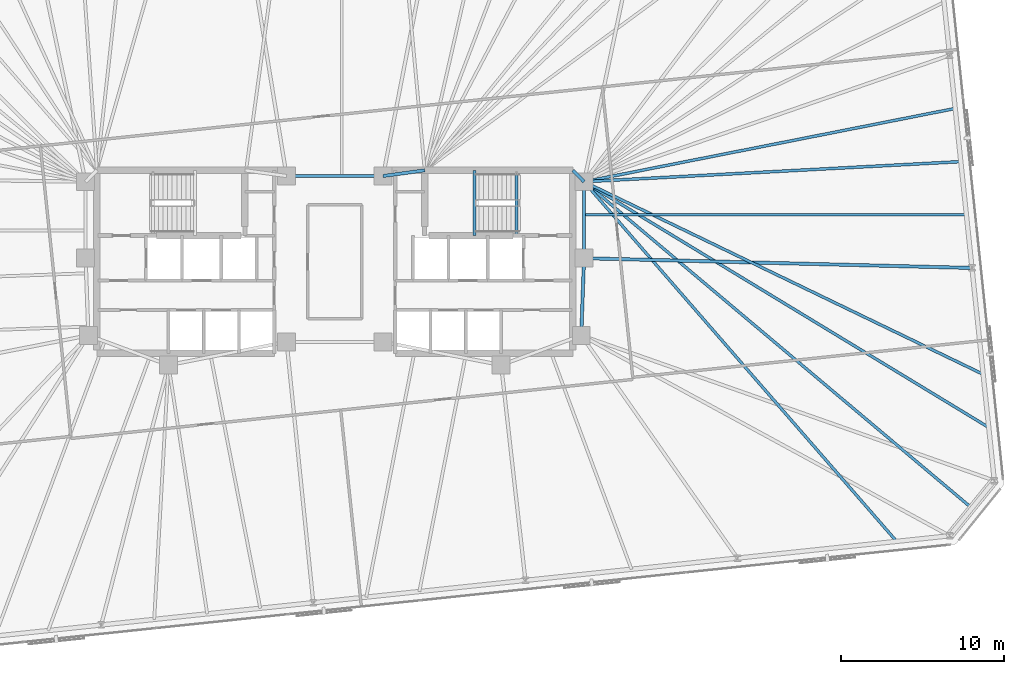
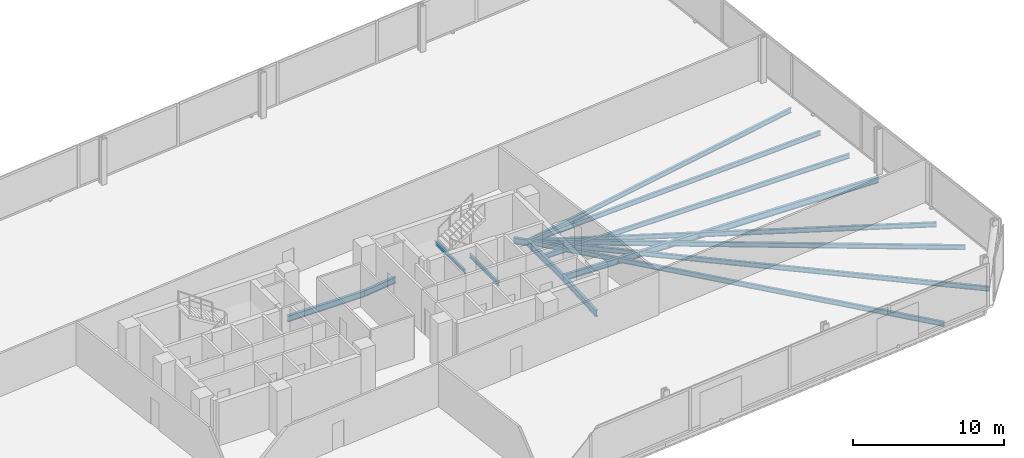
# One storey, part 8 of 17: 15 beams.
"""IFC4 building model written with IfcOpenShell, lengths in metres."""

from ifc_helpers import new_model, si_unit, direction, frame, origin, origin_2d, place, context, subcontext, project, spatial, i_section, extrude, material, material_profile, profile_set, type_object, element, save


model = new_model("IFC4")

# Units and contexts
model_context = context("Model", 3, precision=1e-05, world=origin(), true_north=direction((0.0, 1.0)))
body_context = subcontext(model_context, "Body", "Model", "MODEL_VIEW")
ifc_project = project(units=[si_unit("LENGTHUNIT", "METRE"), si_unit("AREAUNIT", "SQUARE_METRE"), si_unit("VOLUMEUNIT", "CUBIC_METRE"), si_unit("PLANEANGLEUNIT", "RADIAN"), si_unit("MASSUNIT", "GRAM", prefix="KILO")], contexts=[model_context])

# Site, building, storey
site_placement = place(None, origin())
site = spatial("IfcSite", under=ifc_project, at=site_placement, CompositionType="ELEMENT")
building_placement = place(site_placement, origin())
building = spatial("IfcBuilding", under=site, at=building_placement, Name="Menara Jurai Vektor", CompositionType="ELEMENT")
storey_placement = place(building_placement, frame((0.0, 0.0, 109.60009765625)))
storey = spatial("IfcBuildingStorey", under=building, at=storey_placement, Name="L27", CompositionType="ELEMENT", Elevation=109.60009765625)

# Beams
ifc_material = material(Name="Steel S355", Category="steel")
ifc_material_profile_1 = material_profile(ifc_material, i_section(OverallWidth=0.199951171875, OverallDepth=0.5, WebThickness=0.011962890625, FlangeThickness=0.02001953125, at=origin_2d()), Name="PG 500x200x96")
ifc_profile_set_1 = profile_set([ifc_material_profile_1], Name="Steel S355")
beam_type_1 = type_object("IfcBeamType", Name="STR-BM-500", PredefinedType="BEAM", material=ifc_profile_set_1)
beam_1_placement = place(storey_placement, frame((2.949951171875, 5.25, -0.47509765625), z_axis=(0.990706818608, 0.136014703483, 0.0), x_axis=(-0.136014703483, 0.990706818608, 0.0)))
element("IfcBeam", 1, at=beam_1_placement, inside=storey, type_object=beam_type_1, Name="Core Ring Header Girder L27-CHE-N1", PredefinedType="BEAM", context=body_context, shape_type="SweptSolid", body=[
    extrude(i_section(OverallWidth=0.199951171875, OverallDepth=0.5, WebThickness=0.011962890625, FlangeThickness=0.02001953125, at=origin_2d()), origin(), (0.0, 0.0, 1.0), 2.573974609375),
])
beam_2_placement = place(storey_placement, frame((14.56005859375, 5.60009765625, -0.47509765625), z_axis=(0.701871936926, -0.712303154672, 0.0), x_axis=(0.712303154672, 0.701871936926, 0.0)))
element("IfcBeam", 2, at=beam_2_placement, inside=storey, type_object=beam_type_1, Name="Core Ring Header Girder L27-CHE-N2", PredefinedType="BEAM", context=body_context, shape_type="SweptSolid", body=[
    extrude(i_section(OverallWidth=0.199951171875, OverallDepth=0.5, WebThickness=0.011962890625, FlangeThickness=0.02001953125, at=origin_2d()), origin(), (0.0, 0.0, 1.0), 0.98291015625),
])
beam_3_placement = place(storey_placement, frame((15.25, 0.219970703125, -0.47509765625), z_axis=(0.0, 1.0, 0.0), x_axis=(-1.0, 0.0, 0.0)))
element("IfcBeam", 3, at=beam_3_placement, inside=storey, type_object=beam_type_1, Name="Core Ring Header Girder L27-CHE-E1", PredefinedType="BEAM", context=body_context, shape_type="SweptSolid", body=[
    extrude(i_section(OverallWidth=0.199951171875, OverallDepth=0.5, WebThickness=0.011962890625, FlangeThickness=0.02001953125, at=origin_2d()), origin(), (0.0, 0.0, 1.0), 4.679931640625),
])
beam_4_placement = place(storey_placement, frame((15.080078125, -4.5, -0.47509765625), z_axis=(0.035977314146, 0.999352606874, 0.0), x_axis=(-0.999352606874, 0.035977314146, 0.0)))
element("IfcBeam", 4, at=beam_4_placement, inside=storey, type_object=beam_type_1, Name="Core Ring Header Girder L27-CHE-E2", PredefinedType="BEAM", context=body_context, shape_type="SweptSolid", body=[
    extrude(i_section(OverallWidth=0.199951171875, OverallDepth=0.5, WebThickness=0.011962890625, FlangeThickness=0.02001953125, at=origin_2d()), origin(), (0.0, 0.0, 1.0), 4.72314453125),
])
beam_5_placement = place(storey_placement, frame((-2.949951171875, 5.25, -0.47509765625), z_axis=(1.0, 0.0, 0.0), x_axis=(0.0, 1.0, 0.0)))
element("IfcBeam", 5, at=beam_5_placement, inside=storey, type_object=beam_type_1, Name="Core Ring Header Girder L27-CC-2", PredefinedType="BEAM", context=body_context, shape_type="SweptSolid", body=[
    extrude(i_section(OverallWidth=0.199951171875, OverallDepth=0.5, WebThickness=0.011962890625, FlangeThickness=0.02001953125, at=origin_2d()), origin(), (0.0, 0.0, 1.0), 5.89990234375),
])
beam_6_placement = place(storey_placement, frame((38.98828125, -0.375, -0.47509765625), z_axis=(-0.999686051749, 0.02505589629, 0.0), x_axis=(-0.02505589629, -0.999686051749, 0.0)))
element("IfcBeam", 6, at=beam_6_placement, inside=storey, type_object=beam_type_1, Name="Radial Floor Girder L27-E2", PredefinedType="BEAM", context=body_context, shape_type="SweptSolid", body=[
    extrude(i_section(OverallWidth=0.199951171875, OverallDepth=0.5, WebThickness=0.011962890625, FlangeThickness=0.02001953125, at=origin_2d()), origin(), (0.0, 0.0, 1.0), 23.745849609375),
])
ifc_material_profile_2 = material_profile(ifc_material, i_section(OverallWidth=0.175048828125, OverallDepth=0.3798828125, WebThickness=0.010009765625, FlangeThickness=0.014892578125, at=origin_2d()), Name="PG 380x175x58")
ifc_profile_set_2 = profile_set([ifc_material_profile_2], Name="Steel S355")
beam_type_2 = type_object("IfcBeamType", Name="STR-JS-380", PredefinedType="JOIST", material=ifc_profile_set_2)
beam_7_placement = place(storey_placement, frame((34.376953125, -17.106201171875, -0.4150390625), z_axis=(-0.656007047389, 0.754754763996, 0.0), x_axis=(-0.754754763996, -0.656007047389, 0.0)))
element("IfcBeam", 7, at=beam_7_placement, inside=storey, type_object=beam_type_2, Name="Radial Secondary Floor Joist L27-JS09", PredefinedType="JOIST", context=body_context, shape_type="SweptSolid", body=[
    extrude(i_section(OverallWidth=0.175048828125, OverallDepth=0.3798828125, WebThickness=0.010009765625, FlangeThickness=0.014892578125, at=origin_2d()), origin(), (0.0, 0.0, 1.0), 29.15673828125),
])
beam_8_placement = place(storey_placement, frame((38.989013671875, -15.076904296875, -0.4150390625), z_axis=(-0.765132553444, 0.643872794627, 0.0), x_axis=(-0.643872794627, -0.765132553444, 0.0)))
element("IfcBeam", 8, at=beam_8_placement, inside=storey, type_object=beam_type_2, Name="Radial Secondary Floor Joist L27-JS10", PredefinedType="JOIST", context=body_context, shape_type="SweptSolid", body=[
    extrude(i_section(OverallWidth=0.175048828125, OverallDepth=0.3798828125, WebThickness=0.010009765625, FlangeThickness=0.014892578125, at=origin_2d()), origin(), (0.0, 0.0, 1.0), 31.026123046875),
])
beam_9_placement = place(storey_placement, frame((40.01416015625, -10.13525390625, -0.4150390625), z_axis=(-0.854790986557, 0.518972416706, 0.0), x_axis=(-0.518972416706, -0.854790986557, 0.0)))
element("IfcBeam", 9, at=beam_9_placement, inside=storey, type_object=beam_type_2, Name="Radial Secondary Floor Joist L27-JS11", PredefinedType="JOIST", context=body_context, shape_type="SweptSolid", body=[
    extrude(i_section(OverallWidth=0.175048828125, OverallDepth=0.3798828125, WebThickness=0.010009765625, FlangeThickness=0.014892578125, at=origin_2d()), origin(), (0.0, 0.0, 1.0), 28.970947265625),
])
beam_10_placement = place(storey_placement, frame((39.672119140625, -6.8818359375, -0.4150390625), z_axis=(-0.90067072624, 0.434502293312, 0.0), x_axis=(-0.434502293312, -0.90067072624, 0.0)))
element("IfcBeam", 10, at=beam_10_placement, inside=storey, type_object=beam_type_2, Name="Radial Secondary Floor Joist L27-JS12", PredefinedType="JOIST", context=body_context, shape_type="SweptSolid", body=[
    extrude(i_section(OverallWidth=0.175048828125, OverallDepth=0.3798828125, WebThickness=0.010009765625, FlangeThickness=0.014892578125, at=origin_2d()), origin(), (0.0, 0.0, 1.0), 27.115478515625),
])
beam_11_placement = place(storey_placement, frame((38.646484375, 2.87841796875, -0.4150390625), z_axis=(-1.0, 0.0, 0.0), x_axis=(0.0, -1.0, 0.0)))
element("IfcBeam", 11, at=beam_11_placement, inside=storey, type_object=beam_type_2, Name="Radial Secondary Floor Joist L27-JS13", PredefinedType="JOIST", context=body_context, shape_type="SweptSolid", body=[
    extrude(i_section(OverallWidth=0.175048828125, OverallDepth=0.3798828125, WebThickness=0.010009765625, FlangeThickness=0.014892578125, at=origin_2d()), origin(), (0.0, 0.0, 1.0), 23.396484375),
])
beam_12_placement = place(storey_placement, frame((38.304443359375, 6.131591796875, -0.4150390625), z_axis=(-0.998575919005, -0.053349170414, 0.0), x_axis=(0.053349170414, -0.998575919005, 0.0)))
element("IfcBeam", 12, at=beam_12_placement, inside=storey, type_object=beam_type_2, Name="Radial Secondary Floor Joist L27-JS14", PredefinedType="JOIST", context=body_context, shape_type="SweptSolid", body=[
    extrude(i_section(OverallWidth=0.175048828125, OverallDepth=0.3798828125, WebThickness=0.010009765625, FlangeThickness=0.014892578125, at=origin_2d()), origin(), (0.0, 0.0, 1.0), 23.08740234375),
])
beam_13_placement = place(storey_placement, frame((37.96240234375, 9.385009765625, -0.4150390625), z_axis=(-0.981054359007, -0.193732662897, 0.0), x_axis=(0.193732662897, -0.981054359007, 0.0)))
element("IfcBeam", 13, at=beam_13_placement, inside=storey, type_object=beam_type_2, Name="Radial Secondary Floor Joist L27-JS15", PredefinedType="JOIST", context=body_context, shape_type="SweptSolid", body=[
    extrude(i_section(OverallWidth=0.175048828125, OverallDepth=0.3798828125, WebThickness=0.010009765625, FlangeThickness=0.014892578125, at=origin_2d()), origin(), (0.0, 0.0, 1.0), 23.151123046875),
])
ifc_material_profile_3 = material_profile(ifc_material, i_section(OverallWidth=0.1650390625, OverallDepth=0.302978515625, WebThickness=0.006103515625, FlangeThickness=0.010009765625, FilletRadius=0.009033203125, at=origin_2d()), Name="UKB 305x165x40")
ifc_profile_set_3 = profile_set([ifc_material_profile_3], Name="Steel S355")
beam_type_3 = type_object("IfcBeamType", Name="STR-LN-305", PredefinedType="LINTEL", material=ifc_profile_set_3)
beam_14_placement = place(storey_placement, frame((11.1201171875, 1.60009765625, -0.376708984375), z_axis=(0.0, 1.0, 0.0), x_axis=(-1.0, 0.0, 0.0)))
element("IfcBeam", 14, at=beam_14_placement, inside=storey, type_object=beam_type_3, Name="Stair Well Floor Trimmer ST2 L27", PredefinedType="LINTEL", context=body_context, shape_type="SweptSolid", body=[
    extrude(i_section(OverallWidth=0.1650390625, OverallDepth=0.302978515625, WebThickness=0.006103515625, FlangeThickness=0.010009765625, FilletRadius=0.009033203125, at=origin_2d()), origin(), (0.0, 0.0, 1.0), 3.81982421875),
])
beam_15_placement = place(storey_placement, frame((8.550048828125, 1.60009765625, 1.498291015625), z_axis=(0.0, 1.0, 0.0), x_axis=(-1.0, 0.0, 0.0)))
element("IfcBeam", 15, at=beam_15_placement, inside=storey, type_object=beam_type_3, Name="Stair Half-Landing Nosing Trimmer ST2-1 L27", PredefinedType="LINTEL", context=body_context, shape_type="SweptSolid", body=[
    extrude(i_section(OverallWidth=0.1650390625, OverallDepth=0.302978515625, WebThickness=0.006103515625, FlangeThickness=0.010009765625, FilletRadius=0.009033203125, at=origin_2d()), origin(), (0.0, 0.0, 1.0), 4.0),
])

save(model, "model.ifc")
